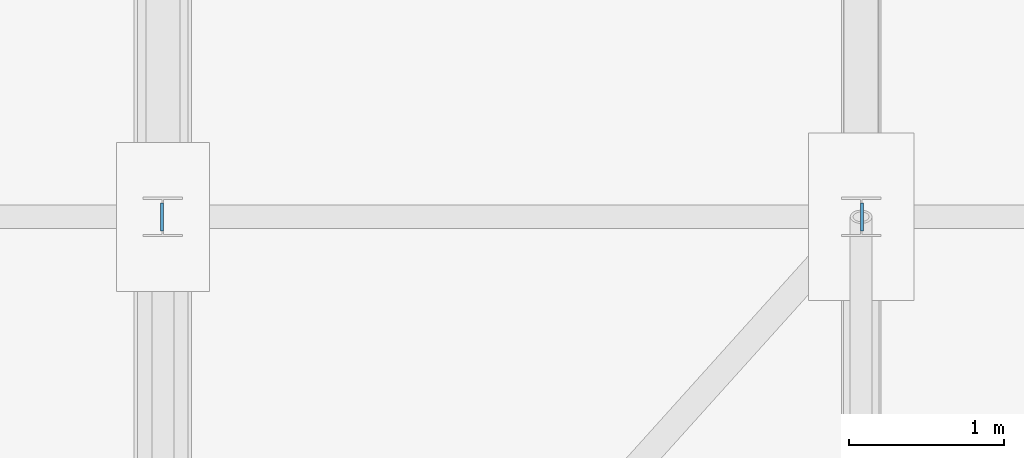
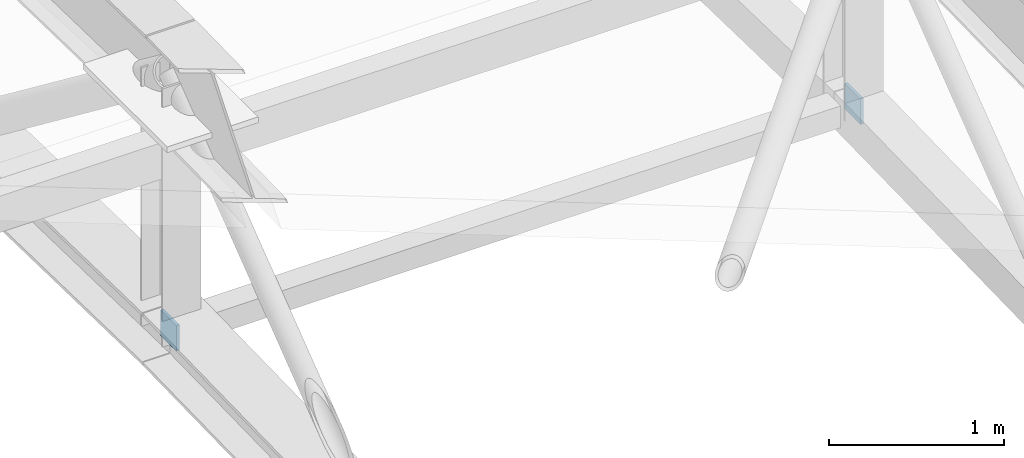
# One storey, part 36 of 53: 2 plates.
"""IFC4 building model written with IfcOpenShell, lengths in metres."""

from ifc_helpers import new_model, si_unit, direction, frame, origin, origin_2d, place, context, subcontext, project, spatial, rectangle, extrude, material, layer, layer_set, type_object, element, save


model = new_model("IFC4")

# Units and contexts
model_context = context("Model", 3, precision=1e-05, world=origin(), true_north=direction((0.0, 1.0)))
body_context = subcontext(model_context, "Body", "Model", "MODEL_VIEW")
ifc_project = project(units=[si_unit("LENGTHUNIT", "METRE"), si_unit("AREAUNIT", "SQUARE_METRE"), si_unit("VOLUMEUNIT", "CUBIC_METRE"), si_unit("PLANEANGLEUNIT", "RADIAN"), si_unit("MASSUNIT", "GRAM", prefix="KILO")], contexts=[model_context])

# Site, building, storey
site_placement = place(None, origin())
site = spatial("IfcSite", under=ifc_project, at=site_placement, CompositionType="ELEMENT")
building_placement = place(site_placement, origin())
building = spatial("IfcBuilding", under=site, at=building_placement, Name="Cazmaro Siding Exhibition Halls", CompositionType="ELEMENT")
storey_placement = place(building_placement, frame((0.0, 0.0, 21.0)))
storey = spatial("IfcBuildingStorey", under=building, at=storey_placement, Name="L04", CompositionType="ELEMENT", Elevation=21.0)

# Plates
ifc_material = material(Name="Steel ASTM A572 Grade 50", Category="steel")
ifc_layer = layer(ifc_material, 0.02001953125)
ifc_layer_set = layer_set([ifc_layer], Name="Steel ASTM A572 Grade 50")
plate_type = type_object("IfcPlateType", Name="CP-11", PredefinedType="SHEET", material=ifc_layer_set)
for number, where, z_axis, x_axis, name in (
    (1, (76.485107421875, 94.0, 0.699951171875), (1.0, 0.0, 0.0), (0.0, 1.0, 0.0), "HSS strut end-cap plate CP-11"),
    (2, (80.994873046875, 94.0, 0.699951171875), (1.0, 0.0, 0.0), (0.0, 1.0, 0.0), "HSS strut end-cap plate CP-11"),
):
    element("IfcPlate", number, at=place(storey_placement, frame(where, z_axis=z_axis, x_axis=x_axis)), inside=storey, type_object=plate_type, Name=name, PredefinedType="SHEET", context=body_context, shape_type="SweptSolid", body=[
        extrude(rectangle(XDim=0.179931640625, YDim=0.179931640625, at=origin_2d()), origin(), (0.0, 0.0, 1.0), 0.02001953125),
    ])

save(model, "model.ifc")
